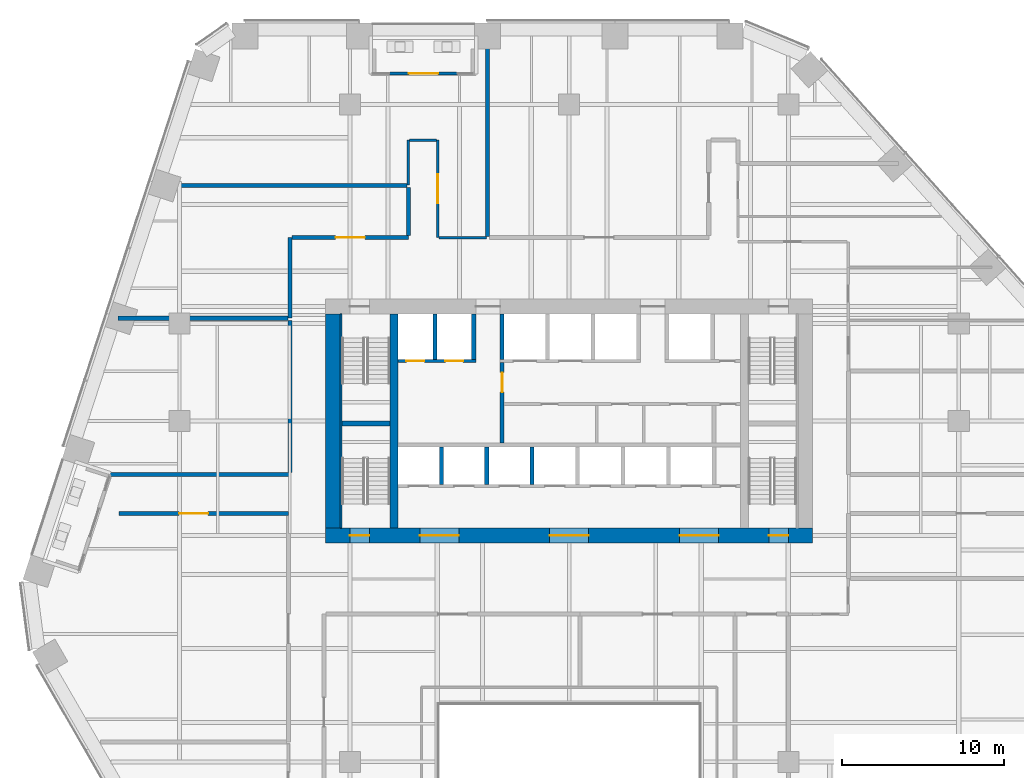
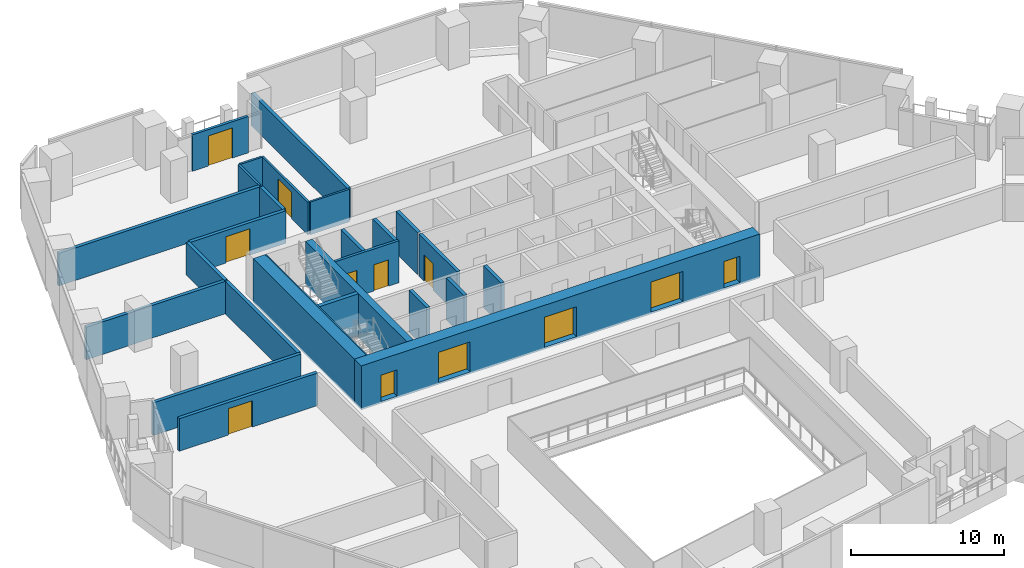
# One storey, part 23 of 31: 27 walls, 12 doors, 12 openings.
"""IFC4 building model written with IfcOpenShell, lengths in metres."""

from ifc_helpers import new_model, si_unit, direction, frame, frame_2d, origin, place, context, subcontext, project, spatial, rectangle, extrude, material, layer, layer_set, type_object, element, fill, save


model = new_model("IFC4")

# Units and contexts
model_context = context("Model", 3, precision=1e-05, world=origin(), true_north=direction((0.0, 1.0)))
body_context = subcontext(model_context, "Body", "Model", "MODEL_VIEW")
ifc_project = project(units=[si_unit("LENGTHUNIT", "METRE"), si_unit("AREAUNIT", "SQUARE_METRE"), si_unit("VOLUMEUNIT", "CUBIC_METRE"), si_unit("PLANEANGLEUNIT", "RADIAN"), si_unit("MASSUNIT", "GRAM", prefix="KILO")], contexts=[model_context])

# Site, building, storey
site_placement = place(None, origin())
site = spatial("IfcSite", under=ifc_project, at=site_placement, CompositionType="ELEMENT")
building_placement = place(site_placement, origin())
building = spatial("IfcBuilding", under=site, at=building_placement, Name="Isthmus Gate Tower", CompositionType="ELEMENT")
storey_placement = place(building_placement, frame((0.0, 0.0, 113.5)))
storey = spatial("IfcBuildingStorey", under=building, at=storey_placement, Name="L27", CompositionType="ELEMENT", Elevation=113.5)

# Wall, opening, door
ifc_material_1 = material(Name="Double-leaf acoustic stud wall, fire-rated", Category="gypsum")
ifc_layer_1 = layer(ifc_material_1, 0.25)
ifc_layer_set_1 = layer_set([ifc_layer_1], Name="ACOUSTIC WALL 250 60 MIN")
wall_type_1 = type_object("IfcWallType", Name="ACOUSTIC WALL 250 60 MIN", PredefinedType="PARTITIONING", material=ifc_layer_set_1)
wall_1_placement = place(storey_placement, frame((-17.300048828125, 1.800048828125, 0.0), z_axis=(0.0, 0.0, 1.0), x_axis=(-1.0, 0.0, 0.0)))
wall_1 = element("IfcWall", 1, at=wall_1_placement, inside=storey, type_object=wall_type_1, Name="L27 Acoustic Wall 250 60 Min", PredefinedType="PARTITIONING", context=body_context, shape_type="SweptSolid", body=[
    extrude(rectangle(XDim=10.429443359375, YDim=0.25, at=frame_2d((5.21484375, 0.0))), origin(), (0.0, 0.0, 1.0), 2.59130859375),
])
opening_1_placement = place(wall_1_placement, frame((4.930908203125, 0.0, 0.0)))
opening_1 = element("IfcOpeningElement", 2, at=opening_1_placement, cuts=wall_1, Name="Opening DT-T2D-10", PredefinedType="OPENING", context=body_context, shape_type="SweptSolid", body=[
    extrude(rectangle(XDim=1.800048828125, YDim=2.10009765625, at=frame_2d((0.89990234375, 1.050048828125))), frame((0.0, 0.135009765625, 0.0), z_axis=(0.0, -1.0, 0.0), x_axis=(1.0, 0.0, 0.0)), (0.0, 0.0, 1.0), 0.27001953125),
])
ifc_material_2 = material(Name="Solid core timber door leaf, fire-rated", Category="wood")
door_type_1 = type_object("IfcDoorType", Name="FIRE DOOR ACOUSTIC ROOM 1800 X 2100 60 MIN", OperationType="DOUBLE_DOOR_DOUBLE_SWING", PredefinedType="DOOR", material=ifc_material_2)
door_1_placement = place(opening_1_placement, origin())
door_1 = element("IfcDoor", 3, at=door_1_placement, inside=storey, type_object=door_type_1, Name="L27 room door", OperationType="DOUBLE_DOOR_DOUBLE_SWING", OverallHeight=2.10009765625, OverallWidth=1.800048828125, PredefinedType="DOOR", context=body_context, shape_type="SweptSolid", body=[
    extrude(rectangle(XDim=1.800048828125, YDim=2.10009765625, at=frame_2d((0.89990234375, 1.050048828125))), frame((0.0, 0.02490234375, 0.0), z_axis=(0.0, -1.0, 0.0), x_axis=(1.0, 0.0, 0.0)), (0.0, 0.0, 1.0), 0.050048828125),
])
fill(opening_1, door_1)

# Walls
wall_2_placement = place(storey_placement, frame((-5.037109375, 18.875, 0.0), z_axis=(0.0, 0.0, 1.0), x_axis=(0.0, 1.0, 0.0)))
element("IfcWall", 4, at=wall_2_placement, inside=storey, type_object=wall_type_1, Name="L27 Acoustic Wall 250 60 Min", PredefinedType="PARTITIONING", context=body_context, shape_type="SweptSolid", body=[
    extrude(rectangle(XDim=12.52490234375, YDim=0.25, at=frame_2d((6.262451171875, 0.0))), origin(), (0.0, 0.0, 1.0), 2.59130859375),
])
wall_3_placement = place(storey_placement, frame((-25.133056640625, 21.9990234375, 0.0), z_axis=(0.0, 0.0, 1.0), x_axis=(1.0, 0.0, 0.0)))
element("IfcWall", 5, at=wall_3_placement, inside=storey, type_object=wall_type_1, Name="L27 Acoustic Wall 250 60 Min", PredefinedType="PARTITIONING", context=body_context, shape_type="SweptSolid", body=[
    extrude(rectangle(XDim=15.157958984375, YDim=0.25, at=frame_2d((7.5791015625, 0.0))), origin(), (0.0, 0.0, 1.0), 2.59130859375),
])
wall_4_placement = place(storey_placement, frame((-17.199951171875, 13.830078125, 0.0), z_axis=(0.0, 0.0, 1.0), x_axis=(0.0, 1.0, 0.0)))
element("IfcWall", 6, at=wall_4_placement, inside=storey, type_object=wall_type_1, Name="L27 Acoustic Wall 250 60 Min", PredefinedType="PARTITIONING", context=body_context, shape_type="SweptSolid", body=[
    extrude(rectangle(XDim=4.969970703125, YDim=0.25, at=frame_2d((2.48486328125, 0.0))), origin(), (0.0, 0.0, 1.0), 2.59130859375),
])

# Wall, opening, door
wall_5_placement = place(storey_placement, frame((-17.074951171875, 18.800048828125, 0.0), z_axis=(0.0, 0.0, 1.0), x_axis=(1.0, 0.0, 0.0)))
wall_5 = element("IfcWall", 7, at=wall_5_placement, inside=storey, type_object=wall_type_1, Name="L27 Acoustic Wall 250 60 Min", PredefinedType="PARTITIONING", context=body_context, shape_type="SweptSolid", body=[
    extrude(rectangle(XDim=7.175048828125, YDim=0.25, at=frame_2d((3.58740234375, 0.0))), origin(), (0.0, 0.0, 1.0), 2.59130859375),
])
opening_2_placement = place(wall_5_placement, frame((2.6875, 0.0, 0.0)))
opening_2 = element("IfcOpeningElement", 8, at=opening_2_placement, cuts=wall_5, Name="Opening DT-T2D-05", PredefinedType="OPENING", context=body_context, shape_type="SweptSolid", body=[
    extrude(rectangle(XDim=1.800048828125, YDim=2.10009765625, at=frame_2d((0.89990234375, 1.050048828125))), frame((0.0, 0.135009765625, 0.0), z_axis=(0.0, -1.0, 0.0), x_axis=(1.0, 0.0, 0.0)), (0.0, 0.0, 1.0), 0.27001953125),
])
door_2_placement = place(opening_2_placement, origin())
door_2 = element("IfcDoor", 9, at=door_2_placement, inside=storey, type_object=door_type_1, Name="L27 room door", OperationType="DOUBLE_DOOR_DOUBLE_SWING", OverallHeight=2.10009765625, OverallWidth=1.800048828125, PredefinedType="DOOR", context=body_context, shape_type="SweptSolid", body=[
    extrude(rectangle(XDim=1.800048828125, YDim=2.10009765625, at=frame_2d((0.89990234375, 1.050048828125))), frame((0.0, 0.02490234375, 0.0), z_axis=(0.0, -1.0, 0.0), x_axis=(1.0, 0.0, 0.0)), (0.0, 0.0, 1.0), 0.050048828125),
])
fill(opening_2, door_2)

# Walls
wall_6_placement = place(storey_placement, frame((-9.89990234375, 18.925048828125, 0.0), z_axis=(0.0, 0.0, 1.0), x_axis=(0.0, 1.0, 0.0)))
element("IfcWall", 10, at=wall_6_placement, inside=storey, type_object=wall_type_1, Name="L27 Acoustic Wall 250 60 Min", PredefinedType="PARTITIONING", context=body_context, shape_type="SweptSolid", body=[
    extrude(rectangle(XDim=2.948974609375, YDim=0.25, at=frame_2d((1.474609375, 0.0))), origin(), (0.0, 0.0, 1.0), 2.59130859375),
])
wall_7_placement = place(storey_placement, frame((-27.787109375, 13.830078125, 0.0), z_axis=(0.0, 0.0, 1.0), x_axis=(1.0, 0.0, 0.0)))
element("IfcWall", 11, at=wall_7_placement, inside=storey, type_object=wall_type_1, Name="L27 Acoustic Wall 250 60 Min", PredefinedType="PARTITIONING", context=body_context, shape_type="SweptSolid", body=[
    extrude(rectangle(XDim=10.462158203125, YDim=0.25, at=frame_2d((5.23095703125, 0.0))), origin(), (0.0, 0.0, 1.0), 2.59130859375),
])
wall_8_placement = place(storey_placement, frame((-28.293701171875, 4.199951171875, 0.0), z_axis=(0.0, 0.0, 1.0), x_axis=(1.0, 0.0, 0.0)))
element("IfcWall", 12, at=wall_8_placement, inside=storey, type_object=wall_type_1, Name="L27 Acoustic Wall 250 60 Min", PredefinedType="PARTITIONING", context=body_context, shape_type="SweptSolid", body=[
    extrude(rectangle(XDim=11.09375, YDim=0.25, at=frame_2d((5.546875, 0.0))), origin(), (0.0, 0.0, 1.0), 2.59130859375),
])
wall_9_placement = place(storey_placement, frame((-17.199951171875, 4.324951171875, 0.0), z_axis=(0.0, 0.0, 1.0), x_axis=(0.0, 1.0, 0.0)))
element("IfcWall", 13, at=wall_9_placement, inside=storey, type_object=wall_type_1, Name="L27 Acoustic Wall 250 60 Min", PredefinedType="PARTITIONING", context=body_context, shape_type="SweptSolid", body=[
    extrude(rectangle(XDim=9.380126953125, YDim=0.25, at=frame_2d((4.68994140625, 0.0))), origin(), (0.0, 0.0, 1.0), 2.59130859375),
])

# Wall, opening, door
ifc_material_3 = material(Name="Gypsum board on steel studs, fire-rated", Category="steel")
ifc_layer_2 = layer(ifc_material_3, 0.14990234375)
ifc_layer_set_2 = layer_set([ifc_layer_2], Name="CORRIDOR WALL 150 60 MIN")
wall_type_2 = type_object("IfcWallType", Name="CORRIDOR WALL 150 60 MIN", PredefinedType="PARTITIONING", material=ifc_layer_set_2)
wall_10_placement = place(storey_placement, frame((-8.10009765625, 24.800048828125, 0.0), z_axis=(0.0, 0.0, 1.0), x_axis=(0.0, -1.0, 0.0)))
wall_10 = element("IfcWall", 14, at=wall_10_placement, inside=storey, type_object=wall_type_2, Name="L27 Corridor Wall 150 60 Min", PredefinedType="PARTITIONING", context=body_context, shape_type="SweptSolid", body=[
    extrude(rectangle(XDim=6.0, YDim=0.14990234375, at=frame_2d((3.0, 0.0))), origin(), (0.0, 0.0, 1.0), 2.59130859375),
])
opening_3_placement = place(wall_10_placement, frame((2.10009765625, 0.0, 0.0)))
opening_3 = element("IfcOpeningElement", 15, at=opening_3_placement, cuts=wall_10, Name="Opening DT-T2D-01", PredefinedType="OPENING", context=body_context, shape_type="SweptSolid", body=[
    extrude(rectangle(XDim=1.800048828125, YDim=2.10009765625, at=frame_2d((0.89990234375, 1.050048828125))), frame((0.0, 0.0849609375, 0.0), z_axis=(0.0, -1.0, 0.0), x_axis=(1.0, 0.0, 0.0)), (0.0, 0.0, 1.0), 0.169921875),
])
ifc_material_4 = material(Name="Solid core timber door leaf, fire-rated", Category="wood")
door_type_2 = type_object("IfcDoorType", Name="FIRE DOOR ROOM 1800 X 2100 60 MIN", OperationType="DOUBLE_DOOR_DOUBLE_SWING", PredefinedType="DOOR", material=ifc_material_4)
door_3_placement = place(opening_3_placement, origin())
door_3 = element("IfcDoor", 16, at=door_3_placement, inside=storey, type_object=door_type_2, Name="L27 room door", OperationType="DOUBLE_DOOR_DOUBLE_SWING", OverallHeight=2.10009765625, OverallWidth=1.800048828125, PredefinedType="DOOR", context=body_context, shape_type="SweptSolid", body=[
    extrude(rectangle(XDim=1.800048828125, YDim=2.10009765625, at=frame_2d((0.89990234375, 1.050048828125))), frame((0.0, 0.02490234375, 0.0), z_axis=(0.0, -1.0, 0.0), x_axis=(1.0, 0.0, 0.0)), (0.0, 0.0, 1.0), 0.050048828125),
])
fill(opening_3, door_3)

# Walls
wall_11_placement = place(storey_placement, frame((-9.89990234375, 22.049072265625, 0.0), z_axis=(0.0, 0.0, 1.0), x_axis=(0.0, 1.0, 0.0)))
element("IfcWall", 17, at=wall_11_placement, inside=storey, type_object=wall_type_2, Name="L27 Corridor Wall 150 60 Min", PredefinedType="PARTITIONING", context=body_context, shape_type="SweptSolid", body=[
    extrude(rectangle(XDim=2.7509765625, YDim=0.14990234375, at=frame_2d((1.37548828125, 0.0))), origin(), (0.0, 0.0, 1.0), 2.59130859375),
])
wall_12_placement = place(storey_placement, frame((-9.824951171875, 24.800048828125, 0.0), z_axis=(0.0, 0.0, 1.0), x_axis=(1.0, 0.0, 0.0)))
element("IfcWall", 18, at=wall_12_placement, inside=storey, type_object=wall_type_2, Name="L27 Corridor Wall 150 60 Min", PredefinedType="PARTITIONING", context=body_context, shape_type="SweptSolid", body=[
    extrude(rectangle(XDim=1.64990234375, YDim=0.14990234375, at=frame_2d((0.824951171875, 0.0))), origin(), (0.0, 0.0, 1.0), 2.59130859375),
])
wall_13_placement = place(storey_placement, frame((-8.02490234375, 18.800048828125, 0.0), z_axis=(0.0, 0.0, 1.0), x_axis=(1.0, 0.0, 0.0)))
element("IfcWall", 19, at=wall_13_placement, inside=storey, type_object=wall_type_2, Name="L27 Corridor Wall 150 60 Min", PredefinedType="PARTITIONING", context=body_context, shape_type="SweptSolid", body=[
    extrude(rectangle(XDim=2.93798828125, YDim=0.14990234375, at=frame_2d((1.468994140625, 0.0))), origin(), (0.0, 0.0, 1.0), 2.59130859375),
])

# Wall, opening, door
ifc_material_5 = material(Name="Fire-rated blockwork masonry, 15 MPa", Category="masonry")
ifc_layer_3 = layer(ifc_material_5, 0.25)
ifc_layer_set_3 = layer_set([ifc_layer_3], Name="FIRE-FIGHTING LOBBY WALL 250 90 MIN")
wall_type_3 = type_object("IfcWallType", Name="FIRE-FIGHTING LOBBY WALL 250 90 MIN", PredefinedType="PARTITIONING", material=ifc_layer_set_3)
wall_14_placement = place(storey_placement, frame((-4.125, 6.14990234375, 0.0), z_axis=(0.0, 0.0, 1.0), x_axis=(0.0, 1.0, 0.0)))
wall_14 = element("IfcWall", 20, at=wall_14_placement, inside=storey, type_object=wall_type_3, Name="L27 FIRE-FIGHTING LOBBY WALL 250 90 MIN", PredefinedType="PARTITIONING", context=body_context, shape_type="SweptSolid", body=[
    extrude(rectangle(XDim=4.9501953125, YDim=0.25, at=frame_2d((2.47509765625, 0.0))), origin(), (0.0, 0.0, 1.0), 3.35009765625),
])
opening_4_placement = place(wall_14_placement, frame((3.125, 0.0, 0.0)))
opening_4 = element("IfcOpeningElement", 21, at=opening_4_placement, cuts=wall_14, Name="Opening DC-A04-01", PredefinedType="OPENING", context=body_context, shape_type="SweptSolid", body=[
    extrude(rectangle(XDim=1.199951171875, YDim=2.10009765625, at=frame_2d((0.60009765625, 1.050048828125))), frame((0.0, 0.135009765625, 0.0), z_axis=(0.0, -1.0, 0.0), x_axis=(1.0, 0.0, 0.0)), (0.0, 0.0, 1.0), 0.27001953125),
])
ifc_material_6 = material(Name="Steel door leaf, fire-rated", Category="steel")
door_type_3 = type_object("IfcDoorType", Name="LOBBY FIRE DOOR 1200 X 2100 90 MIN", OperationType="DOUBLE_DOOR_SINGLE_SWING", PredefinedType="DOOR", material=ifc_material_6)
door_4_placement = place(opening_4_placement, origin())
door_4 = element("IfcDoor", 22, at=door_4_placement, inside=storey, type_object=door_type_3, Name="Fire-fighting Lobby Door", OperationType="SINGLE_SWING_LEFT", OverallHeight=2.10009765625, OverallWidth=1.199951171875, PredefinedType="DOOR", context=body_context, shape_type="SweptSolid", body=[
    extrude(rectangle(XDim=1.199951171875, YDim=2.10009765625, at=frame_2d((0.60009765625, 1.050048828125))), frame((0.0, 0.02490234375, 0.0), z_axis=(0.0, -1.0, 0.0), x_axis=(1.0, 0.0, 0.0)), (0.0, 0.0, 1.0), 0.050048828125),
])
fill(opening_4, door_4)

ifc_material_7 = material(Name="Precast concrete C40/50", Category="concrete")
ifc_layer_4 = layer(ifc_material_7, 0.199951171875)
ifc_layer_set_4 = layer_set([ifc_layer_4], Name="LOGGIA WALL 200")
wall_type_4 = type_object("IfcWallType", Name="LOGGIA WALL 200", PredefinedType="SOLIDWALL", material=ifc_layer_set_4)
wall_15_placement = place(storey_placement, frame((-6.8720703125, 28.89990234375, 0.0), z_axis=(0.0, 0.0, 1.0), x_axis=(-1.0, 0.0, 0.0)))
wall_15 = element("IfcWall", 23, at=wall_15_placement, inside=storey, type_object=wall_type_4, Name="LOGGIA BACK WALL", PredefinedType="SOLIDWALL", context=body_context, shape_type="SweptSolid", body=[
    extrude(rectangle(XDim=4.199951171875, YDim=0.199951171875, at=frame_2d((2.10009765625, 0.0))), origin(), (0.0, 0.0, 1.0), 2.89990234375),
])
opening_5_placement = place(wall_15_placement, frame((1.199951171875, 0.0, 0.0)))
opening_5 = element("IfcOpeningElement", 24, at=opening_5_placement, cuts=wall_15, Name="Opening DE27-01", PredefinedType="OPENING", context=body_context, shape_type="SweptSolid", body=[
    extrude(rectangle(XDim=1.800048828125, YDim=2.39990234375, at=frame_2d((0.89990234375, 1.199951171875))), frame((0.0, 0.10986328125, 0.0), z_axis=(0.0, -1.0, 0.0), x_axis=(1.0, 0.0, 0.0)), (0.0, 0.0, 1.0), 0.219970703125),
])
ifc_material_8 = material(Name="Aluminium, pale champagne anodised, laminated glass", Category="aluminium")
door_type_4 = type_object("IfcDoorType", Name="LOGGIA DOOR SLIDING 1800 X 2400", OperationType="DOUBLE_DOOR_SLIDING", PredefinedType="DOOR", material=ifc_material_8)
door_5_placement = place(opening_5_placement, origin())
door_5 = element("IfcDoor", 25, at=door_5_placement, inside=storey, type_object=door_type_4, Name="DOOR DE27-01", OperationType="SINGLE_SWING_LEFT", OverallHeight=2.39990234375, OverallWidth=1.800048828125, PredefinedType="DOOR", context=body_context, shape_type="SweptSolid", body=[
    extrude(rectangle(XDim=1.800048828125, YDim=2.39990234375, at=frame_2d((0.89990234375, 1.199951171875))), frame((0.0, 0.02490234375, 0.0), z_axis=(0.0, -1.0, 0.0), x_axis=(1.0, 0.0, 0.0)), (0.0, 0.0, 1.0), 0.050048828125),
])
fill(opening_5, door_5)

# Wall
ifc_material_9 = material(Name="Concrete f'c 70 MPa", Category="concrete")
ifc_layer_5 = layer(ifc_material_9, 0.5)
ifc_layer_set_5 = layer_set([ifc_layer_5], Name="RC CORE SPINE WALL 500 F'C 70")
wall_type_5 = type_object("IfcWallType", Name="RC CORE SPINE WALL 500 F'C 70", PredefinedType="SOLIDWALL", material=ifc_layer_set_5)
wall_16_placement = place(storey_placement, frame((-10.800048828125, 0.89990234375, -0.14990234375), z_axis=(0.0, 0.0, 1.0), x_axis=(0.0, 1.0, 0.0)))
element("IfcWall", 26, at=wall_16_placement, inside=storey, type_object=wall_type_5, Name="str-corewall-L27-SPW", PredefinedType="SOLIDWALL", context=body_context, shape_type="SweptSolid", body=[
    extrude(rectangle(XDim=13.2001953125, YDim=0.5, at=frame_2d((6.60009765625, 0.0))), origin(), (0.0, 0.0, 1.0), 3.5),
])

# Wall, openings, doors
ifc_material_10 = material(Name="Concrete f'c 70 MPa", Category="concrete")
ifc_layer_6 = layer(ifc_material_10, 0.89990234375)
ifc_layer_set_6 = layer_set([ifc_layer_6], Name="RC CORE WALL 900 F'C 70")
wall_type_6 = type_object("IfcWallType", Name="RC CORE WALL 900 F'C 70", PredefinedType="SOLIDWALL", material=ifc_layer_set_6)
wall_17_placement = place(storey_placement, frame((-15.0, 0.449951171875, -0.14990234375), z_axis=(0.0, 0.0, 1.0), x_axis=(1.0, 0.0, 0.0)))
wall_17 = element("IfcWall", 27, at=wall_17_placement, inside=storey, type_object=wall_type_6, Name="str-corewall-L27-S", PredefinedType="SOLIDWALL", context=body_context, shape_type="SweptSolid", body=[
    extrude(rectangle(XDim=30.0, YDim=0.89990234375, at=frame_2d((15.0, 0.0))), origin(), (0.0, 0.0, 1.0), 3.5),
])
opening_6_placement = place(wall_17_placement, frame((5.800048828125, 0.0, 0.14990234375)))
opening_6 = element("IfcOpeningElement", 28, at=opening_6_placement, cuts=wall_17, Name="Opening DC-A04-08", PredefinedType="OPENING", context=body_context, shape_type="SweptSolid", body=[
    extrude(rectangle(XDim=2.39990234375, YDim=2.39990234375, at=frame_2d((1.199951171875, 1.199951171875))), frame((0.0, 0.4599609375, 0.0), z_axis=(0.0, -1.0, 0.0), x_axis=(1.0, 0.0, 0.0)), (0.0, 0.0, 1.0), 0.919921875),
])
opening_7_placement = place(wall_17_placement, frame((13.800048828125, 0.0, 0.14990234375)))
opening_7 = element("IfcOpeningElement", 29, at=opening_7_placement, cuts=wall_17, Name="Opening DC-A04-09", PredefinedType="OPENING", context=body_context, shape_type="SweptSolid", body=[
    extrude(rectangle(XDim=2.39990234375, YDim=2.39990234375, at=frame_2d((1.199951171875, 1.199951171875))), frame((0.0, 0.4599609375, 0.0), z_axis=(0.0, -1.0, 0.0), x_axis=(1.0, 0.0, 0.0)), (0.0, 0.0, 1.0), 0.919921875),
])
opening_8_placement = place(wall_17_placement, frame((21.800048828125, 0.0, 0.14990234375)))
opening_8 = element("IfcOpeningElement", 30, at=opening_8_placement, cuts=wall_17, Name="Opening DC-A04-10", PredefinedType="OPENING", context=body_context, shape_type="SweptSolid", body=[
    extrude(rectangle(XDim=2.39990234375, YDim=2.39990234375, at=frame_2d((1.199951171875, 1.199951171875))), frame((0.0, 0.4599609375, 0.0), z_axis=(0.0, -1.0, 0.0), x_axis=(1.0, 0.0, 0.0)), (0.0, 0.0, 1.0), 0.919921875),
])
opening_9_placement = place(wall_17_placement, frame((1.5, 0.0, 0.14990234375)))
opening_9 = element("IfcOpeningElement", 31, at=opening_9_placement, cuts=wall_17, Name="Opening DC-A04-15", PredefinedType="OPENING", context=body_context, shape_type="SweptSolid", body=[
    extrude(rectangle(XDim=1.199951171875, YDim=2.10009765625, at=frame_2d((0.60009765625, 1.050048828125))), frame((0.0, 0.4599609375, 0.0), z_axis=(0.0, -1.0, 0.0), x_axis=(1.0, 0.0, 0.0)), (0.0, 0.0, 1.0), 0.919921875),
])
opening_10_placement = place(wall_17_placement, frame((27.300048828125, 0.0, 0.14990234375)))
opening_10 = element("IfcOpeningElement", 32, at=opening_10_placement, cuts=wall_17, Name="Opening DC-A04-16", PredefinedType="OPENING", context=body_context, shape_type="SweptSolid", body=[
    extrude(rectangle(XDim=1.199951171875, YDim=2.10009765625, at=frame_2d((0.60009765625, 1.050048828125))), frame((0.0, 0.4599609375, 0.0), z_axis=(0.0, -1.0, 0.0), x_axis=(1.0, 0.0, 0.0)), (0.0, 0.0, 1.0), 0.919921875),
])
ifc_material_11 = material(Name="Laminated safety glass in steel frame, fire-rated", Category="steel")
door_type_5 = type_object("IfcDoorType", Name="LOBBY ENTRANCE FIRE DOOR 2400 X 2400 60 MIN", OperationType="DOUBLE_DOOR_DOUBLE_SWING", PredefinedType="DOOR", material=ifc_material_11)
door_6_placement = place(opening_6_placement, origin())
door_6 = element("IfcDoor", 33, at=door_6_placement, inside=storey, type_object=door_type_5, Name="Lobby Entrance PS-W", OperationType="DOUBLE_DOOR_DOUBLE_SWING", OverallHeight=2.39990234375, OverallWidth=2.39990234375, PredefinedType="DOOR", context=body_context, shape_type="SweptSolid", body=[
    extrude(rectangle(XDim=2.39990234375, YDim=2.39990234375, at=frame_2d((1.199951171875, 1.199951171875))), frame((0.0, 0.02490234375, 0.0), z_axis=(0.0, -1.0, 0.0), x_axis=(1.0, 0.0, 0.0)), (0.0, 0.0, 1.0), 0.050048828125),
])
fill(opening_6, door_6)
door_7_placement = place(opening_7_placement, origin())
door_7 = element("IfcDoor", 34, at=door_7_placement, inside=storey, type_object=door_type_5, Name="Lobby Entrance PS-C", OperationType="DOUBLE_DOOR_DOUBLE_SWING", OverallHeight=2.39990234375, OverallWidth=2.39990234375, PredefinedType="DOOR", context=body_context, shape_type="SweptSolid", body=[
    extrude(rectangle(XDim=2.39990234375, YDim=2.39990234375, at=frame_2d((1.199951171875, 1.199951171875))), frame((0.0, 0.02490234375, 0.0), z_axis=(0.0, -1.0, 0.0), x_axis=(1.0, 0.0, 0.0)), (0.0, 0.0, 1.0), 0.050048828125),
])
fill(opening_7, door_7)
door_8_placement = place(opening_8_placement, origin())
door_8 = element("IfcDoor", 35, at=door_8_placement, inside=storey, type_object=door_type_5, Name="Lobby Entrance PS-E", OperationType="DOUBLE_DOOR_DOUBLE_SWING", OverallHeight=2.39990234375, OverallWidth=2.39990234375, PredefinedType="DOOR", context=body_context, shape_type="SweptSolid", body=[
    extrude(rectangle(XDim=2.39990234375, YDim=2.39990234375, at=frame_2d((1.199951171875, 1.199951171875))), frame((0.0, 0.02490234375, 0.0), z_axis=(0.0, -1.0, 0.0), x_axis=(1.0, 0.0, 0.0)), (0.0, 0.0, 1.0), 0.050048828125),
])
fill(opening_8, door_8)
ifc_material_12 = material(Name="Steel door leaf, fire-rated", Category="steel")
door_type_6 = type_object("IfcDoorType", Name="STAIR FIRE DOOR 1200 X 2100 90 MIN", OperationType="SINGLE_SWING_LEFT", PredefinedType="DOOR", material=ifc_material_12)
door_9_placement = place(opening_9_placement, origin())
door_9 = element("IfcDoor", 36, at=door_9_placement, inside=storey, type_object=door_type_6, Name="Exit Stair 7 Door", OperationType="SINGLE_SWING_LEFT", OverallHeight=2.10009765625, OverallWidth=1.199951171875, PredefinedType="DOOR", context=body_context, shape_type="SweptSolid", body=[
    extrude(rectangle(XDim=1.199951171875, YDim=2.10009765625, at=frame_2d((0.60009765625, 1.050048828125))), frame((0.0, 0.02490234375, 0.0), z_axis=(0.0, -1.0, 0.0), x_axis=(1.0, 0.0, 0.0)), (0.0, 0.0, 1.0), 0.050048828125),
])
fill(opening_9, door_9)
door_10_placement = place(opening_10_placement, origin())
door_10 = element("IfcDoor", 37, at=door_10_placement, inside=storey, type_object=door_type_6, Name="Exit Stair 8 Door", OperationType="SINGLE_SWING_RIGHT", OverallHeight=2.10009765625, OverallWidth=1.199951171875, PredefinedType="DOOR", context=body_context, shape_type="SweptSolid", body=[
    extrude(rectangle(XDim=1.199951171875, YDim=2.10009765625, at=frame_2d((0.60009765625, 1.050048828125))), frame((0.0, 0.02490234375, 0.0), z_axis=(0.0, -1.0, 0.0), x_axis=(1.0, 0.0, 0.0)), (0.0, 0.0, 1.0), 0.050048828125),
])
fill(opening_10, door_10)

# Wall
wall_18_placement = place(storey_placement, frame((-14.550048828125, 0.89990234375, -0.14990234375), z_axis=(0.0, 0.0, 1.0), x_axis=(0.0, 1.0, 0.0)))
element("IfcWall", 38, at=wall_18_placement, inside=storey, type_object=wall_type_6, Name="str-corewall-L27-W", PredefinedType="SOLIDWALL", context=body_context, shape_type="SweptSolid", body=[
    extrude(rectangle(XDim=13.2001953125, YDim=0.89990234375, at=frame_2d((6.60009765625, 0.0))), origin(), (0.0, 0.0, 1.0), 3.5),
])

# Wall, openings, doors
ifc_material_13 = material(Name="Fire-rated blockwork masonry, 15 MPa", Category="masonry")
ifc_layer_7 = layer(ifc_material_13, 0.199951171875)
ifc_layer_set_7 = layer_set([ifc_layer_7], Name="SHAFT FRONT WALL 200 120 MIN")
wall_type_7 = type_object("IfcWallType", Name="SHAFT FRONT WALL 200 120 MIN", PredefinedType="PARTITIONING", material=ifc_layer_set_7)
wall_19_placement = place(storey_placement, frame((-10.550048828125, 11.199951171875, 0.0), z_axis=(0.0, 0.0, 1.0), x_axis=(1.0, 0.0, 0.0)))
wall_19 = element("IfcWall", 39, at=wall_19_placement, inside=storey, type_object=wall_type_7, Name="L27 SHAFT FRONT WALL 200 120 MIN", PredefinedType="PARTITIONING", context=body_context, shape_type="SweptSolid", body=[
    extrude(rectangle(XDim=4.800048828125, YDim=0.199951171875, at=frame_2d((2.39990234375, 0.0))), origin(), (0.0, 0.0, 1.0), 3.35009765625),
])
opening_11_placement = place(wall_19_placement, frame((0.52490234375, 0.0, 0.0)))
opening_11 = element("IfcOpeningElement", 40, at=opening_11_placement, cuts=wall_19, Name="Opening LD-LF1", PredefinedType="OPENING", context=body_context, shape_type="SweptSolid", body=[
    extrude(rectangle(XDim=1.10009765625, YDim=2.10009765625, at=frame_2d((0.550048828125, 1.050048828125))), frame((0.0, 0.10986328125, 0.0), z_axis=(0.0, -1.0, 0.0), x_axis=(1.0, 0.0, 0.0)), (0.0, 0.0, 1.0), 0.219970703125),
])
opening_12_placement = place(wall_19_placement, frame((2.925048828125, 0.0, 0.0)))
opening_12 = element("IfcOpeningElement", 41, at=opening_12_placement, cuts=wall_19, Name="Opening LD-LF2", PredefinedType="OPENING", context=body_context, shape_type="SweptSolid", body=[
    extrude(rectangle(XDim=1.10009765625, YDim=2.10009765625, at=frame_2d((0.550048828125, 1.050048828125))), frame((0.0, 0.10986328125, 0.0), z_axis=(0.0, -1.0, 0.0), x_axis=(1.0, 0.0, 0.0)), (0.0, 0.0, 1.0), 0.219970703125),
])
ifc_material_14 = material(Name="Stainless steel sliding leaf", Category="steel")
door_type_7 = type_object("IfcDoorType", Name="LIFT LANDING FIRE DOOR 1100 X 2100 90 MIN", OperationType="DOUBLE_DOOR_SLIDING", PredefinedType="DOOR", material=ifc_material_14)
door_11_placement = place(opening_11_placement, origin())
door_11 = element("IfcDoor", 42, at=door_11_placement, inside=storey, type_object=door_type_7, Name="Lift Landing Door LF1", OperationType="DOUBLE_DOOR_SLIDING", OverallHeight=2.10009765625, OverallWidth=1.10009765625, PredefinedType="DOOR", context=body_context, shape_type="SweptSolid", body=[
    extrude(rectangle(XDim=1.10009765625, YDim=2.10009765625, at=frame_2d((0.550048828125, 1.050048828125))), frame((0.0, 0.02490234375, 0.0), z_axis=(0.0, -1.0, 0.0), x_axis=(1.0, 0.0, 0.0)), (0.0, 0.0, 1.0), 0.050048828125),
])
fill(opening_11, door_11)
door_12_placement = place(opening_12_placement, origin())
door_12 = element("IfcDoor", 43, at=door_12_placement, inside=storey, type_object=door_type_7, Name="Lift Landing Door LF2", OperationType="DOUBLE_DOOR_SLIDING", OverallHeight=2.10009765625, OverallWidth=1.10009765625, PredefinedType="DOOR", context=body_context, shape_type="SweptSolid", body=[
    extrude(rectangle(XDim=1.10009765625, YDim=2.10009765625, at=frame_2d((0.550048828125, 1.050048828125))), frame((0.0, 0.02490234375, 0.0), z_axis=(0.0, -1.0, 0.0), x_axis=(1.0, 0.0, 0.0)), (0.0, 0.0, 1.0), 0.050048828125),
])
fill(opening_12, door_12)

# Walls
ifc_material_15 = material(Name="Fire-rated blockwork masonry, 15 MPa", Category="masonry")
ifc_layer_8 = layer(ifc_material_15, 0.25)
ifc_layer_set_8 = layer_set([ifc_layer_8], Name="SHAFT WALL 250 120 MIN")
wall_type_8 = type_object("IfcWallType", Name="SHAFT WALL 250 120 MIN", PredefinedType="PARTITIONING", material=ifc_layer_set_8)
for number, where, z_axis, x_axis, name in (
    (44, (-7.875, 3.60009765625, 0.0), (0.0, 0.0, 1.0), (0.0, 1.0, 0.0), "L27 SHAFT WALL 250 120 MIN"),
    (45, (-5.074951171875, 3.60009765625, 0.0), (0.0, 0.0, 1.0), (0.0, 1.0, 0.0), "L27 SHAFT WALL 250 120 MIN"),
    (46, (-2.27490234375, 3.60009765625, 0.0), (0.0, 0.0, 1.0), (0.0, 1.0, 0.0), "L27 SHAFT WALL 250 120 MIN"),
):
    element("IfcWall", number, at=place(storey_placement, frame(where, z_axis=z_axis, x_axis=x_axis)), inside=storey, type_object=wall_type_8, Name=name, PredefinedType="PARTITIONING", context=body_context, shape_type="SweptSolid", body=[
        extrude(rectangle(XDim=2.2998046875, YDim=0.25, at=frame_2d((1.14990234375, 0.0))), origin(), (0.0, 0.0, 1.0), 3.35009765625),
    ])
for number, where, z_axis, x_axis, name in (
    (47, (-8.27490234375, 11.300048828125, 0.0), (0.0, 0.0, 1.0), (0.0, 1.0, 0.0), "L27 SHAFT WALL 250 120 MIN"),
    (48, (-5.875, 11.300048828125, 0.0), (0.0, 0.0, 1.0), (0.0, 1.0, 0.0), "L27 SHAFT WALL 250 120 MIN"),
    (49, (-4.125, 11.300048828125, 0.0), (0.0, 0.0, 1.0), (0.0, 1.0, 0.0), "L27 SHAFT WALL 250 120 MIN"),
):
    element("IfcWall", number, at=place(storey_placement, frame(where, z_axis=z_axis, x_axis=x_axis)), inside=storey, type_object=wall_type_8, Name=name, PredefinedType="PARTITIONING", context=body_context, shape_type="SweptSolid", body=[
        extrude(rectangle(XDim=2.800048828125, YDim=0.25, at=frame_2d((1.39990234375, 0.0))), origin(), (0.0, 0.0, 1.0), 3.35009765625),
    ])
ifc_material_16 = material(Name="Concrete f'c 40 MPa", Category="concrete")
ifc_layer_9 = layer(ifc_material_16, 0.10009765625)
ifc_layer_set_9 = layer_set([ifc_layer_9], Name="STAIR ENCLOSURE WALL 100 180 MIN")
wall_type_9 = type_object("IfcWallType", Name="STAIR ENCLOSURE WALL 100 180 MIN", PredefinedType="SOLIDWALL", material=ifc_layer_set_9)
wall_20_placement = place(storey_placement, frame((-14.050048828125, 0.89990234375, 0.0), z_axis=(0.0, 0.0, 1.0), x_axis=(0.0, 1.0, 0.0)))
element("IfcWall", 50, at=wall_20_placement, inside=storey, type_object=wall_type_9, Name="L27 STAIR ENCLOSURE WALL 100 180 MIN", PredefinedType="SOLIDWALL", context=body_context, shape_type="SweptSolid", body=[
    extrude(rectangle(XDim=13.2001953125, YDim=0.10009765625, at=frame_2d((6.60009765625, 0.0))), origin(), (0.0, 0.0, 1.0), 3.35009765625),
])
ifc_material_17 = material(Name="Concrete f'c 40 MPa", Category="concrete")
ifc_layer_10 = layer(ifc_material_17, 0.300048828125)
ifc_layer_set_10 = layer_set([ifc_layer_10], Name="STAIR ENCLOSURE WALL 300 180 MIN")
wall_type_10 = type_object("IfcWallType", Name="STAIR ENCLOSURE WALL 300 180 MIN", PredefinedType="SOLIDWALL", material=ifc_layer_set_10)
wall_21_placement = place(storey_placement, frame((-14.0, 7.35009765625, 0.0), z_axis=(0.0, 0.0, 1.0), x_axis=(1.0, 0.0, 0.0)))
element("IfcWall", 51, at=wall_21_placement, inside=storey, type_object=wall_type_10, Name="L27 STAIR ENCLOSURE WALL 300 180 MIN", PredefinedType="SOLIDWALL", context=body_context, shape_type="SweptSolid", body=[
    extrude(rectangle(XDim=2.949951171875, YDim=0.300048828125, at=frame_2d((1.47509765625, 0.0))), origin(), (0.0, 0.0, 1.0), 3.35009765625),
])

save(model, "model.ifc")
